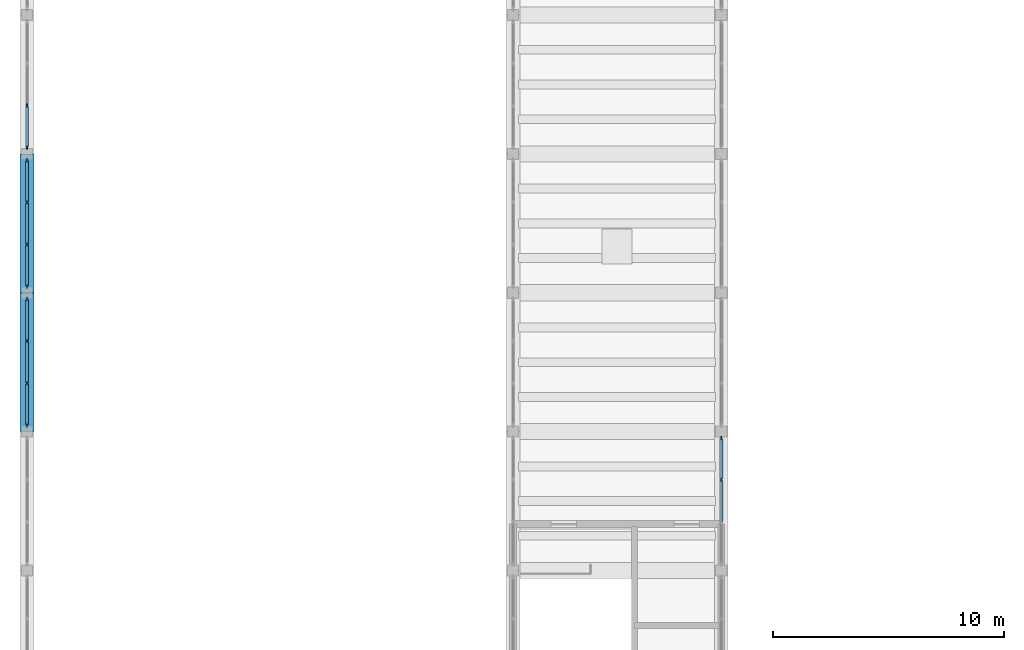
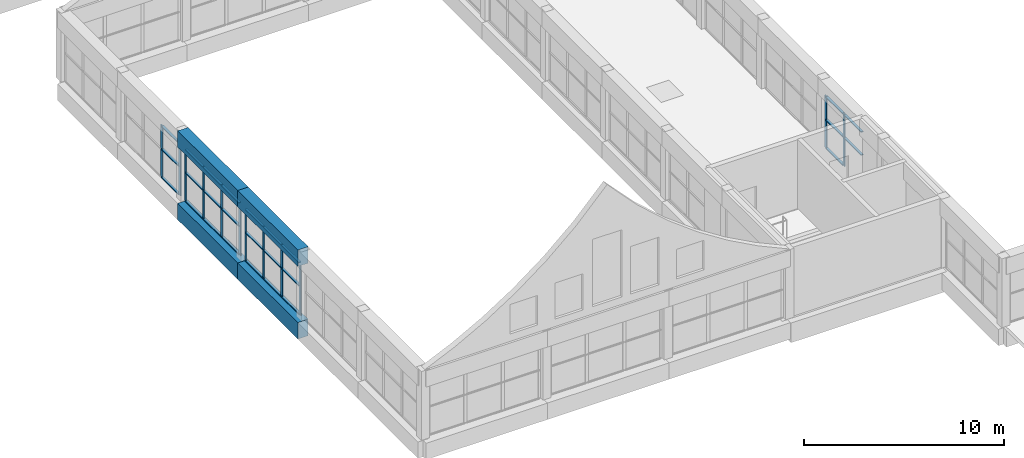
# One storey, part 10 of 70: 38 members, 4 beams, 4 elements without a shape of their own.
"""IFC4 building model written with IfcOpenShell, lengths in metres."""

from ifc_helpers import new_model, si_unit, direction, frame, origin, origin_2d, place, context, subcontext, project, spatial, rectangle, extrude, material, layer, layer_set, material_profile, profile_set, type_object, element, aggregate, save


model = new_model("IFC4")

# Units and contexts
model_context = context("Model", 3, precision=1e-05, world=origin(), true_north=direction((0.0, 1.0)))
body_context = subcontext(model_context, "Body", "Model", "MODEL_VIEW")
ifc_project = project(units=[si_unit("LENGTHUNIT", "METRE"), si_unit("AREAUNIT", "SQUARE_METRE"), si_unit("VOLUMEUNIT", "CUBIC_METRE"), si_unit("PLANEANGLEUNIT", "RADIAN"), si_unit("MASSUNIT", "GRAM", prefix="KILO")], contexts=[model_context])

# Site, building, storey
site_placement = place(None, origin())
site = spatial("IfcSite", under=ifc_project, at=site_placement, CompositionType="ELEMENT")
building_placement = place(site_placement, origin())
building = spatial("IfcBuilding", under=site, at=building_placement, Name="Solvane Community Centre", CompositionType="ELEMENT")
storey_placement = place(building_placement, frame((0.0, 0.0, 9.60009765625)))
storey = spatial("IfcBuildingStorey", under=building, at=storey_placement, Name="L02", CompositionType="ELEMENT", Elevation=9.60009765625)

# Curtain wall, members
ifc_material_1 = material(Name="Anodised bronze aluminium AW-6063 T6", Category="aluminium")
ifc_layer = layer(ifc_material_1, 0.179931640625)
ifc_layer_set = layer_set([ifc_layer], Name="Anodised bronze aluminium AW-6063 T6")
curtain_wall_type = type_object("IfcCurtainWallType", Name="Hall Translucent Upper Curtain Wall [55x32dm]", PredefinedType="NOTDEFINED", material=ifc_layer_set)
curtain_wall_1_placement = place(storey_placement, origin())
curtain_wall_1 = element("IfcCurtainWall", 1, at=curtain_wall_1_placement, inside=storey, type_object=curtain_wall_type, Name="Curtain Wall CW-L02-360_537-126", PredefinedType="NOTDEFINED")
ifc_material_profile_1 = material_profile(ifc_material_1, rectangle(XDim=0.06005859375, YDim=0.179931640625, at=origin_2d()), Name="CW-M 60x180")
ifc_profile_set_1 = profile_set([ifc_material_profile_1], Name="Anodised bronze aluminium AW-6063 T6")
member_type_1 = type_object("IfcMemberType", Name="Hall Mullion 60x180", PredefinedType="MULLION", material=ifc_profile_set_1)
member_1_placement = place(storey_placement, frame((36.0, 53.715087890625, 0.0), z_axis=(0.0, 0.0, 1.0), x_axis=(1.0, 0.0, 0.0)))
member_1 = element("IfcMember", 2, at=member_1_placement, type_object=member_type_1, Name="CW01-55x32 mullion 1", PredefinedType="MULLION", context=body_context, shape_type="SweptSolid", body=[
    extrude(rectangle(XDim=0.06005859375, YDim=0.179931640625, at=origin_2d()), origin(), (0.0, 0.0, 1.0), 3.184814453125),
])
member_2_placement = place(storey_placement, frame((36.0, 51.9150390625, 0.0), z_axis=(0.0, 0.0, 1.0), x_axis=(1.0, 0.0, 0.0)))
member_2 = element("IfcMember", 3, at=member_2_placement, type_object=member_type_1, Name="CW01-55x32 mullion 2", PredefinedType="MULLION", context=body_context, shape_type="SweptSolid", body=[
    extrude(rectangle(XDim=0.06005859375, YDim=0.179931640625, at=origin_2d()), origin(), (0.0, 0.0, 1.0), 3.184814453125),
])

curtain_wall_2_placement = place(storey_placement, origin())
curtain_wall_2 = element("IfcCurtainWall", 4, at=curtain_wall_2_placement, inside=storey, type_object=curtain_wall_type, Name="Curtain Wall CW-L02-60_717-167", PredefinedType="NOTDEFINED")
member_3_placement = place(storey_placement, frame((6.0, 68.0849609375, 0.0), z_axis=(0.0, 0.0, 1.0), x_axis=(1.0, 0.0, 0.0)))
member_3 = element("IfcMember", 5, at=member_3_placement, type_object=member_type_1, Name="CW01-55x32 mullion 3", PredefinedType="MULLION", context=body_context, shape_type="SweptSolid", body=[
    extrude(rectangle(XDim=0.06005859375, YDim=0.179931640625, at=origin_2d()), origin(), (0.0, 0.0, 1.0), 3.184814453125),
])
member_4_placement = place(storey_placement, frame((6.0, 66.284912109375, 0.0), z_axis=(0.0, 0.0, 1.0), x_axis=(1.0, 0.0, 0.0)))
member_4 = element("IfcMember", 6, at=member_4_placement, type_object=member_type_1, Name="CW01-55x32 mullion 4", PredefinedType="MULLION", context=body_context, shape_type="SweptSolid", body=[
    extrude(rectangle(XDim=0.06005859375, YDim=0.179931640625, at=origin_2d()), origin(), (0.0, 0.0, 1.0), 3.184814453125),
])

curtain_wall_3_placement = place(storey_placement, origin())
curtain_wall_3 = element("IfcCurtainWall", 7, at=curtain_wall_3_placement, inside=storey, type_object=curtain_wall_type, Name="Curtain Wall CW-L02-60_657-168", PredefinedType="NOTDEFINED")
member_5_placement = place(storey_placement, frame((6.0, 65.715087890625, 0.0), z_axis=(0.0, 0.0, 1.0), x_axis=(1.0, 0.0, 0.0)))
member_5 = element("IfcMember", 8, at=member_5_placement, type_object=member_type_1, Name="CW01-55x32 mullion 1", PredefinedType="MULLION", context=body_context, shape_type="SweptSolid", body=[
    extrude(rectangle(XDim=0.06005859375, YDim=0.179931640625, at=origin_2d()), origin(), (0.0, 0.0, 1.0), 3.184814453125),
])
member_6_placement = place(storey_placement, frame((6.0, 63.9150390625, 0.0), z_axis=(0.0, 0.0, 1.0), x_axis=(1.0, 0.0, 0.0)))
member_6 = element("IfcMember", 9, at=member_6_placement, type_object=member_type_1, Name="CW01-55x32 mullion 2", PredefinedType="MULLION", context=body_context, shape_type="SweptSolid", body=[
    extrude(rectangle(XDim=0.06005859375, YDim=0.179931640625, at=origin_2d()), origin(), (0.0, 0.0, 1.0), 3.184814453125),
])
member_7_placement = place(storey_placement, frame((6.0, 62.0849609375, 0.0), z_axis=(0.0, 0.0, 1.0), x_axis=(1.0, 0.0, 0.0)))
member_7 = element("IfcMember", 10, at=member_7_placement, type_object=member_type_1, Name="CW01-55x32 mullion 3", PredefinedType="MULLION", context=body_context, shape_type="SweptSolid", body=[
    extrude(rectangle(XDim=0.06005859375, YDim=0.179931640625, at=origin_2d()), origin(), (0.0, 0.0, 1.0), 3.184814453125),
])
member_8_placement = place(storey_placement, frame((6.0, 60.284912109375, 0.0), z_axis=(0.0, 0.0, 1.0), x_axis=(1.0, 0.0, 0.0)))
member_8 = element("IfcMember", 11, at=member_8_placement, type_object=member_type_1, Name="CW01-55x32 mullion 4", PredefinedType="MULLION", context=body_context, shape_type="SweptSolid", body=[
    extrude(rectangle(XDim=0.06005859375, YDim=0.179931640625, at=origin_2d()), origin(), (0.0, 0.0, 1.0), 3.184814453125),
])

curtain_wall_4_placement = place(storey_placement, origin())
curtain_wall_4 = element("IfcCurtainWall", 12, at=curtain_wall_4_placement, inside=storey, type_object=curtain_wall_type, Name="Curtain Wall CW-L02-60_597-169", PredefinedType="NOTDEFINED")
member_9_placement = place(storey_placement, frame((6.0, 59.715087890625, 0.0), z_axis=(0.0, 0.0, 1.0), x_axis=(1.0, 0.0, 0.0)))
member_9 = element("IfcMember", 13, at=member_9_placement, type_object=member_type_1, Name="CW01-55x32 mullion 1", PredefinedType="MULLION", context=body_context, shape_type="SweptSolid", body=[
    extrude(rectangle(XDim=0.06005859375, YDim=0.179931640625, at=origin_2d()), origin(), (0.0, 0.0, 1.0), 3.184814453125),
])
member_10_placement = place(storey_placement, frame((6.0, 57.9150390625, 0.0), z_axis=(0.0, 0.0, 1.0), x_axis=(1.0, 0.0, 0.0)))
member_10 = element("IfcMember", 14, at=member_10_placement, type_object=member_type_1, Name="CW01-55x32 mullion 2", PredefinedType="MULLION", context=body_context, shape_type="SweptSolid", body=[
    extrude(rectangle(XDim=0.06005859375, YDim=0.179931640625, at=origin_2d()), origin(), (0.0, 0.0, 1.0), 3.184814453125),
])
member_11_placement = place(storey_placement, frame((6.0, 56.0849609375, 0.0), z_axis=(0.0, 0.0, 1.0), x_axis=(1.0, 0.0, 0.0)))
member_11 = element("IfcMember", 15, at=member_11_placement, type_object=member_type_1, Name="CW01-55x32 mullion 3", PredefinedType="MULLION", context=body_context, shape_type="SweptSolid", body=[
    extrude(rectangle(XDim=0.06005859375, YDim=0.179931640625, at=origin_2d()), origin(), (0.0, 0.0, 1.0), 3.184814453125),
])
member_12_placement = place(storey_placement, frame((6.0, 54.284912109375, 0.0), z_axis=(0.0, 0.0, 1.0), x_axis=(1.0, 0.0, 0.0)))
member_12 = element("IfcMember", 16, at=member_12_placement, type_object=member_type_1, Name="CW01-55x32 mullion 4", PredefinedType="MULLION", context=body_context, shape_type="SweptSolid", body=[
    extrude(rectangle(XDim=0.06005859375, YDim=0.179931640625, at=origin_2d()), origin(), (0.0, 0.0, 1.0), 3.184814453125),
])

# Member
ifc_material_profile_2 = material_profile(ifc_material_1, rectangle(XDim=0.139892578125, YDim=0.06005859375, at=origin_2d()), Name="CW-T 60x140")
ifc_profile_set_2 = profile_set([ifc_material_profile_2], Name="Anodised bronze aluminium AW-6063 T6")
member_type_2 = type_object("IfcMemberType", Name="Hall Transom 60x140", PredefinedType="USERDEFINED", material=ifc_profile_set_2)
member_13_placement = place(storey_placement, frame((36.0, 53.68505859375, 0.02978515625), z_axis=(0.0, -1.0, 0.0), x_axis=(1.0, 0.0, 0.0)))
member_13 = element("IfcMember", 17, at=member_13_placement, type_object=member_type_2, Name="CW01-55x32 transom 1.1", ObjectType="TRANSOM", PredefinedType="USERDEFINED", context=body_context, shape_type="SweptSolid", body=[
    extrude(rectangle(XDim=0.139892578125, YDim=0.06005859375, at=origin_2d()), origin(), (0.0, 0.0, 1.0), 1.739990234375),
])

member_14_placement = place(storey_placement, frame((36.0, 53.68505859375, 1.751953125), z_axis=(0.0, -1.0, 0.0), x_axis=(1.0, 0.0, 0.0)))
member_14 = element("IfcMember", 18, at=member_14_placement, type_object=member_type_2, Name="CW01-55x32 transom 1.2", ObjectType="TRANSOM", PredefinedType="USERDEFINED", context=body_context, shape_type="SweptSolid", body=[
    extrude(rectangle(XDim=0.139892578125, YDim=0.06005859375, at=origin_2d()), origin(), (0.0, 0.0, 1.0), 1.739990234375),
])

member_15_placement = place(storey_placement, frame((36.0, 53.68505859375, 3.15478515625), z_axis=(0.0, -1.0, 0.0), x_axis=(1.0, 0.0, 0.0)))
member_15 = element("IfcMember", 19, at=member_15_placement, type_object=member_type_2, Name="CW01-55x32 transom 1.3", ObjectType="TRANSOM", PredefinedType="USERDEFINED", context=body_context, shape_type="SweptSolid", body=[
    extrude(rectangle(XDim=0.139892578125, YDim=0.06005859375, at=origin_2d()), origin(), (0.0, 0.0, 1.0), 1.739990234375),
])

member_16_placement = place(storey_placement, frame((36.0, 51.885009765625, 1.751953125), z_axis=(0.0, -1.0, 0.0), x_axis=(1.0, 0.0, 0.0)))
member_16 = element("IfcMember", 20, at=member_16_placement, type_object=member_type_2, Name="CW01-55x32 transom 2.2", ObjectType="TRANSOM", PredefinedType="USERDEFINED", context=body_context, shape_type="SweptSolid", body=[
    extrude(rectangle(XDim=0.139892578125, YDim=0.06005859375, at=origin_2d()), origin(), (0.0, 0.0, 1.0), 1.77001953125),
])

member_17_placement = place(storey_placement, frame((36.0, 51.885009765625, 3.15478515625), z_axis=(0.0, -1.0, 0.0), x_axis=(1.0, 0.0, 0.0)))
member_17 = element("IfcMember", 21, at=member_17_placement, type_object=member_type_2, Name="CW01-55x32 transom 2.3", ObjectType="TRANSOM", PredefinedType="USERDEFINED", context=body_context, shape_type="SweptSolid", body=[
    extrude(rectangle(XDim=0.139892578125, YDim=0.06005859375, at=origin_2d()), origin(), (0.0, 0.0, 1.0), 1.77001953125),
])

aggregate(curtain_wall_1, [member_1, member_2, member_13, member_14, member_15, member_16, member_17])

member_18_placement = place(storey_placement, frame((6.0, 68.054931640625, 0.02978515625), z_axis=(0.0, -1.0, 0.0), x_axis=(1.0, 0.0, 0.0)))
member_18 = element("IfcMember", 22, at=member_18_placement, type_object=member_type_2, Name="CW01-55x32 transom 3.1", ObjectType="TRANSOM", PredefinedType="USERDEFINED", context=body_context, shape_type="SweptSolid", body=[
    extrude(rectangle(XDim=0.139892578125, YDim=0.06005859375, at=origin_2d()), origin(), (0.0, 0.0, 1.0), 1.739990234375),
])

member_19_placement = place(storey_placement, frame((6.0, 68.054931640625, 1.751953125), z_axis=(0.0, -1.0, 0.0), x_axis=(1.0, 0.0, 0.0)))
member_19 = element("IfcMember", 23, at=member_19_placement, type_object=member_type_2, Name="CW01-55x32 transom 3.2", ObjectType="TRANSOM", PredefinedType="USERDEFINED", context=body_context, shape_type="SweptSolid", body=[
    extrude(rectangle(XDim=0.139892578125, YDim=0.06005859375, at=origin_2d()), origin(), (0.0, 0.0, 1.0), 1.739990234375),
])

member_20_placement = place(storey_placement, frame((6.0, 68.054931640625, 3.15478515625), z_axis=(0.0, -1.0, 0.0), x_axis=(1.0, 0.0, 0.0)))
member_20 = element("IfcMember", 24, at=member_20_placement, type_object=member_type_2, Name="CW01-55x32 transom 3.3", ObjectType="TRANSOM", PredefinedType="USERDEFINED", context=body_context, shape_type="SweptSolid", body=[
    extrude(rectangle(XDim=0.139892578125, YDim=0.06005859375, at=origin_2d()), origin(), (0.0, 0.0, 1.0), 1.739990234375),
])

aggregate(curtain_wall_2, [member_3, member_4, member_18, member_19, member_20])

member_21_placement = place(storey_placement, frame((6.0, 65.68505859375, 0.02978515625), z_axis=(0.0, -1.0, 0.0), x_axis=(1.0, 0.0, 0.0)))
member_21 = element("IfcMember", 25, at=member_21_placement, type_object=member_type_2, Name="CW01-55x32 transom 1.1", ObjectType="TRANSOM", PredefinedType="USERDEFINED", context=body_context, shape_type="SweptSolid", body=[
    extrude(rectangle(XDim=0.139892578125, YDim=0.06005859375, at=origin_2d()), origin(), (0.0, 0.0, 1.0), 1.739990234375),
])

member_22_placement = place(storey_placement, frame((6.0, 65.68505859375, 1.751953125), z_axis=(0.0, -1.0, 0.0), x_axis=(1.0, 0.0, 0.0)))
member_22 = element("IfcMember", 26, at=member_22_placement, type_object=member_type_2, Name="CW01-55x32 transom 1.2", ObjectType="TRANSOM", PredefinedType="USERDEFINED", context=body_context, shape_type="SweptSolid", body=[
    extrude(rectangle(XDim=0.139892578125, YDim=0.06005859375, at=origin_2d()), origin(), (0.0, 0.0, 1.0), 1.739990234375),
])

member_23_placement = place(storey_placement, frame((6.0, 65.68505859375, 3.15478515625), z_axis=(0.0, -1.0, 0.0), x_axis=(1.0, 0.0, 0.0)))
member_23 = element("IfcMember", 27, at=member_23_placement, type_object=member_type_2, Name="CW01-55x32 transom 1.3", ObjectType="TRANSOM", PredefinedType="USERDEFINED", context=body_context, shape_type="SweptSolid", body=[
    extrude(rectangle(XDim=0.139892578125, YDim=0.06005859375, at=origin_2d()), origin(), (0.0, 0.0, 1.0), 1.739990234375),
])

member_24_placement = place(storey_placement, frame((6.0, 63.885009765625, 0.02978515625), z_axis=(0.0, -1.0, 0.0), x_axis=(1.0, 0.0, 0.0)))
member_24 = element("IfcMember", 28, at=member_24_placement, type_object=member_type_2, Name="CW01-55x32 transom 2.1", ObjectType="TRANSOM", PredefinedType="USERDEFINED", context=body_context, shape_type="SweptSolid", body=[
    extrude(rectangle(XDim=0.139892578125, YDim=0.06005859375, at=origin_2d()), origin(), (0.0, 0.0, 1.0), 1.77001953125),
])

member_25_placement = place(storey_placement, frame((6.0, 63.885009765625, 1.751953125), z_axis=(0.0, -1.0, 0.0), x_axis=(1.0, 0.0, 0.0)))
member_25 = element("IfcMember", 29, at=member_25_placement, type_object=member_type_2, Name="CW01-55x32 transom 2.2", ObjectType="TRANSOM", PredefinedType="USERDEFINED", context=body_context, shape_type="SweptSolid", body=[
    extrude(rectangle(XDim=0.139892578125, YDim=0.06005859375, at=origin_2d()), origin(), (0.0, 0.0, 1.0), 1.77001953125),
])

member_26_placement = place(storey_placement, frame((6.0, 63.885009765625, 3.15478515625), z_axis=(0.0, -1.0, 0.0), x_axis=(1.0, 0.0, 0.0)))
member_26 = element("IfcMember", 30, at=member_26_placement, type_object=member_type_2, Name="CW01-55x32 transom 2.3", ObjectType="TRANSOM", PredefinedType="USERDEFINED", context=body_context, shape_type="SweptSolid", body=[
    extrude(rectangle(XDim=0.139892578125, YDim=0.06005859375, at=origin_2d()), origin(), (0.0, 0.0, 1.0), 1.77001953125),
])

member_27_placement = place(storey_placement, frame((6.0, 62.054931640625, 0.02978515625), z_axis=(0.0, -1.0, 0.0), x_axis=(1.0, 0.0, 0.0)))
member_27 = element("IfcMember", 31, at=member_27_placement, type_object=member_type_2, Name="CW01-55x32 transom 3.1", ObjectType="TRANSOM", PredefinedType="USERDEFINED", context=body_context, shape_type="SweptSolid", body=[
    extrude(rectangle(XDim=0.139892578125, YDim=0.06005859375, at=origin_2d()), origin(), (0.0, 0.0, 1.0), 1.739990234375),
])

member_28_placement = place(storey_placement, frame((6.0, 62.054931640625, 1.751953125), z_axis=(0.0, -1.0, 0.0), x_axis=(1.0, 0.0, 0.0)))
member_28 = element("IfcMember", 32, at=member_28_placement, type_object=member_type_2, Name="CW01-55x32 transom 3.2", ObjectType="TRANSOM", PredefinedType="USERDEFINED", context=body_context, shape_type="SweptSolid", body=[
    extrude(rectangle(XDim=0.139892578125, YDim=0.06005859375, at=origin_2d()), origin(), (0.0, 0.0, 1.0), 1.739990234375),
])

member_29_placement = place(storey_placement, frame((6.0, 62.054931640625, 3.15478515625), z_axis=(0.0, -1.0, 0.0), x_axis=(1.0, 0.0, 0.0)))
member_29 = element("IfcMember", 33, at=member_29_placement, type_object=member_type_2, Name="CW01-55x32 transom 3.3", ObjectType="TRANSOM", PredefinedType="USERDEFINED", context=body_context, shape_type="SweptSolid", body=[
    extrude(rectangle(XDim=0.139892578125, YDim=0.06005859375, at=origin_2d()), origin(), (0.0, 0.0, 1.0), 1.739990234375),
])

aggregate(curtain_wall_3, [member_5, member_6, member_7, member_8, member_21, member_22, member_23, member_24, member_25, member_26, member_27, member_28, member_29])

member_30_placement = place(storey_placement, frame((6.0, 59.68505859375, 0.02978515625), z_axis=(0.0, -1.0, 0.0), x_axis=(1.0, 0.0, 0.0)))
member_30 = element("IfcMember", 34, at=member_30_placement, type_object=member_type_2, Name="CW01-55x32 transom 1.1", ObjectType="TRANSOM", PredefinedType="USERDEFINED", context=body_context, shape_type="SweptSolid", body=[
    extrude(rectangle(XDim=0.139892578125, YDim=0.06005859375, at=origin_2d()), origin(), (0.0, 0.0, 1.0), 1.739990234375),
])

member_31_placement = place(storey_placement, frame((6.0, 59.68505859375, 1.751953125), z_axis=(0.0, -1.0, 0.0), x_axis=(1.0, 0.0, 0.0)))
member_31 = element("IfcMember", 35, at=member_31_placement, type_object=member_type_2, Name="CW01-55x32 transom 1.2", ObjectType="TRANSOM", PredefinedType="USERDEFINED", context=body_context, shape_type="SweptSolid", body=[
    extrude(rectangle(XDim=0.139892578125, YDim=0.06005859375, at=origin_2d()), origin(), (0.0, 0.0, 1.0), 1.739990234375),
])

member_32_placement = place(storey_placement, frame((6.0, 59.68505859375, 3.15478515625), z_axis=(0.0, -1.0, 0.0), x_axis=(1.0, 0.0, 0.0)))
member_32 = element("IfcMember", 36, at=member_32_placement, type_object=member_type_2, Name="CW01-55x32 transom 1.3", ObjectType="TRANSOM", PredefinedType="USERDEFINED", context=body_context, shape_type="SweptSolid", body=[
    extrude(rectangle(XDim=0.139892578125, YDim=0.06005859375, at=origin_2d()), origin(), (0.0, 0.0, 1.0), 1.739990234375),
])

member_33_placement = place(storey_placement, frame((6.0, 57.885009765625, 0.02978515625), z_axis=(0.0, -1.0, 0.0), x_axis=(1.0, 0.0, 0.0)))
member_33 = element("IfcMember", 37, at=member_33_placement, type_object=member_type_2, Name="CW01-55x32 transom 2.1", ObjectType="TRANSOM", PredefinedType="USERDEFINED", context=body_context, shape_type="SweptSolid", body=[
    extrude(rectangle(XDim=0.139892578125, YDim=0.06005859375, at=origin_2d()), origin(), (0.0, 0.0, 1.0), 1.77001953125),
])

member_34_placement = place(storey_placement, frame((6.0, 57.885009765625, 1.751953125), z_axis=(0.0, -1.0, 0.0), x_axis=(1.0, 0.0, 0.0)))
member_34 = element("IfcMember", 38, at=member_34_placement, type_object=member_type_2, Name="CW01-55x32 transom 2.2", ObjectType="TRANSOM", PredefinedType="USERDEFINED", context=body_context, shape_type="SweptSolid", body=[
    extrude(rectangle(XDim=0.139892578125, YDim=0.06005859375, at=origin_2d()), origin(), (0.0, 0.0, 1.0), 1.77001953125),
])

member_35_placement = place(storey_placement, frame((6.0, 57.885009765625, 3.15478515625), z_axis=(0.0, -1.0, 0.0), x_axis=(1.0, 0.0, 0.0)))
member_35 = element("IfcMember", 39, at=member_35_placement, type_object=member_type_2, Name="CW01-55x32 transom 2.3", ObjectType="TRANSOM", PredefinedType="USERDEFINED", context=body_context, shape_type="SweptSolid", body=[
    extrude(rectangle(XDim=0.139892578125, YDim=0.06005859375, at=origin_2d()), origin(), (0.0, 0.0, 1.0), 1.77001953125),
])

member_36_placement = place(storey_placement, frame((6.0, 56.054931640625, 0.02978515625), z_axis=(0.0, -1.0, 0.0), x_axis=(1.0, 0.0, 0.0)))
member_36 = element("IfcMember", 40, at=member_36_placement, type_object=member_type_2, Name="CW01-55x32 transom 3.1", ObjectType="TRANSOM", PredefinedType="USERDEFINED", context=body_context, shape_type="SweptSolid", body=[
    extrude(rectangle(XDim=0.139892578125, YDim=0.06005859375, at=origin_2d()), origin(), (0.0, 0.0, 1.0), 1.739990234375),
])

member_37_placement = place(storey_placement, frame((6.0, 56.054931640625, 1.751953125), z_axis=(0.0, -1.0, 0.0), x_axis=(1.0, 0.0, 0.0)))
member_37 = element("IfcMember", 41, at=member_37_placement, type_object=member_type_2, Name="CW01-55x32 transom 3.2", ObjectType="TRANSOM", PredefinedType="USERDEFINED", context=body_context, shape_type="SweptSolid", body=[
    extrude(rectangle(XDim=0.139892578125, YDim=0.06005859375, at=origin_2d()), origin(), (0.0, 0.0, 1.0), 1.739990234375),
])

member_38_placement = place(storey_placement, frame((6.0, 56.054931640625, 3.15478515625), z_axis=(0.0, -1.0, 0.0), x_axis=(1.0, 0.0, 0.0)))
member_38 = element("IfcMember", 42, at=member_38_placement, type_object=member_type_2, Name="CW01-55x32 transom 3.3", ObjectType="TRANSOM", PredefinedType="USERDEFINED", context=body_context, shape_type="SweptSolid", body=[
    extrude(rectangle(XDim=0.139892578125, YDim=0.06005859375, at=origin_2d()), origin(), (0.0, 0.0, 1.0), 1.739990234375),
])

aggregate(curtain_wall_4, [member_9, member_10, member_11, member_12, member_30, member_31, member_32, member_33, member_34, member_35, member_36, member_37, member_38])

# Beams
ifc_material_2 = material(Name="Concrete C35/45", Category="concrete")
ifc_material_profile_3 = material_profile(ifc_material_2, rectangle(XDim=0.60009765625, YDim=1.0, at=origin_2d()), Name="RC 600x1000")
ifc_profile_set_3 = profile_set([ifc_material_profile_3], Name="Concrete C35/45")
beam_type = type_object("IfcBeamType", Name="RC Vault Thrust Ring Girder 600x1000", PredefinedType="USERDEFINED", material=ifc_profile_set_3)
for number, where, z_axis, x_axis, name in (
    (43, (6.0, 54.0, -0.72021484375), (0.0, 1.0, 0.0), (-1.0, 0.0, 0.0), "Beam BM-L02-60_540-60_600"),
    (44, (6.0, 60.0, -0.72021484375), (0.0, 1.0, 0.0), (-1.0, 0.0, 0.0), "Beam BM-L02-60_600-60_660"),
    (45, (6.0, 54.0, 3.699951171875), (0.0, 1.0, 0.0), (-1.0, 0.0, 0.0), "Beam BM-L02-60_540-60_600-1489"),
    (46, (6.0, 60.0, 3.699951171875), (0.0, 1.0, 0.0), (-1.0, 0.0, 0.0), "Beam BM-L02-60_600-60_660-1490"),
):
    element("IfcBeam", number, at=place(storey_placement, frame(where, z_axis=z_axis, x_axis=x_axis)), inside=storey, type_object=beam_type, Name=name, ObjectType="GIRDER", PredefinedType="USERDEFINED", context=body_context, shape_type="SweptSolid", body=[
        extrude(rectangle(XDim=0.60009765625, YDim=1.0, at=origin_2d()), origin(), (0.0, 0.0, 1.0), 6.0),
    ])

save(model, "model.ifc")
